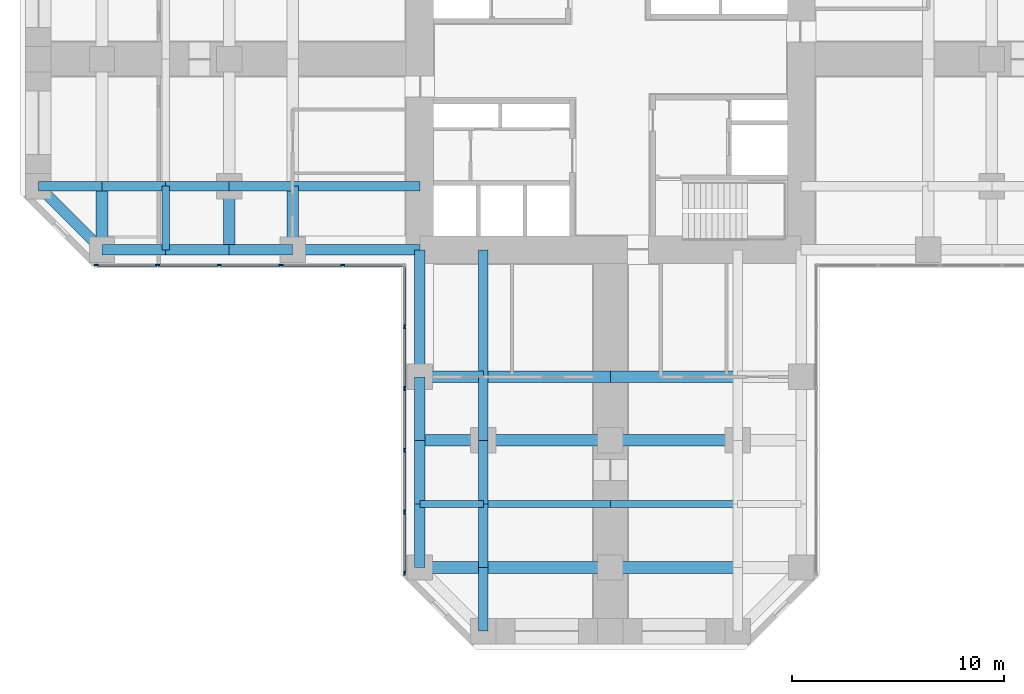
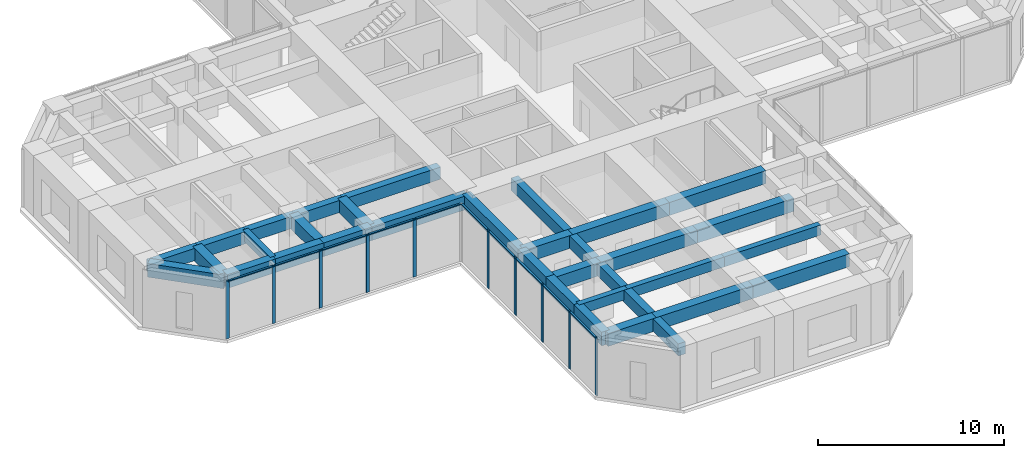
# One storey, part 2 of 12: 35 beams, 20 members, 2 elements without a shape of their own.
"""IFC4 building model written with IfcOpenShell, lengths in metres."""

from ifc_helpers import new_model, si_unit, direction, frame, origin, origin_2d, place, context, subcontext, project, spatial, rectangle, extrude, material, material_profile, profile_set, type_object, element, aggregate, save


model = new_model("IFC4")

# Units and contexts
model_context = context("Model", 3, precision=1e-05, world=origin(), true_north=direction((0.0, 1.0)))
body_context = subcontext(model_context, "Body", "Model", "MODEL_VIEW")
ifc_project = project(units=[si_unit("LENGTHUNIT", "METRE"), si_unit("AREAUNIT", "SQUARE_METRE"), si_unit("VOLUMEUNIT", "CUBIC_METRE"), si_unit("PLANEANGLEUNIT", "RADIAN"), si_unit("MASSUNIT", "GRAM", prefix="KILO")], contexts=[model_context])

# Site, building, storey
site_placement = place(None, origin())
site = spatial("IfcSite", under=ifc_project, at=site_placement, CompositionType="ELEMENT")
building_placement = place(site_placement, origin())
building = spatial("IfcBuilding", under=site, at=building_placement, Name="Torre Cruceta", CompositionType="ELEMENT")
storey_placement = place(building_placement, frame((0.0, 0.0, 39.5)))
storey = spatial("IfcBuildingStorey", under=building, at=storey_placement, Name="L09", CompositionType="ELEMENT", Elevation=39.5)

# Beams
ifc_material_1 = material(Name="Concrete G60 (fck 60 MPa)", Category="concrete")
ifc_material_profile_1 = material_profile(ifc_material_1, rectangle(XDim=0.449951171875, YDim=0.800048828125, at=origin_2d()), Name="RC 450X800")
ifc_profile_set_1 = profile_set([ifc_material_profile_1], Name="Concrete G60 (fck 60 MPa)")
beam_type_1 = type_object("IfcBeamType", Name="COLUMN LINE BEAM RC 450X800", PredefinedType="BEAM", material=ifc_profile_set_1)
beam_1_placement = place(storey_placement, frame((-6.0, -9.0, 3.39990234375), z_axis=(0.0, -1.0, 0.0), x_axis=(1.0, 0.0, 0.0)))
element("IfcBeam", 1, at=beam_1_placement, inside=storey, type_object=beam_type_1, Name="LB1 L09 S col- 1", PredefinedType="BEAM", context=body_context, shape_type="SweptSolid", body=[
    extrude(rectangle(XDim=0.449951171875, YDim=0.800048828125, at=origin_2d()), origin(), (0.0, 0.0, 1.0), 6.0),
])
for number, where, z_axis, x_axis, name in (
    (2, (-6.0, -15.0, 3.39990234375), (0.0, -1.0, 0.0), (1.0, 0.0, 0.0), "LB1 L09 S col- 2"),
    (3, (-6.0, -18.0, 3.39990234375), (0.0, -1.0, 0.0), (1.0, 0.0, 0.0), "LB1 L09 S col- 3"),
    (4, (-6.0, -21.0, 3.39990234375), (0.0, -1.0, 0.0), (1.0, 0.0, 0.0), "LB1 L09 S col- 4"),
    (5, (-6.0, -24.0, 3.39990234375), (0.0, -1.0, 0.0), (1.0, 0.0, 0.0), "LB1 L09 S col- 5"),
):
    element("IfcBeam", number, at=place(storey_placement, frame(where, z_axis=z_axis, x_axis=x_axis)), inside=storey, type_object=beam_type_1, Name=name, PredefinedType="BEAM", context=body_context, shape_type="SweptSolid", body=[
        extrude(rectangle(XDim=0.449951171875, YDim=0.800048828125, at=origin_2d()), origin(), (0.0, 0.0, 1.0), 3.0),
    ])
beam_2_placement = place(storey_placement, frame((-9.0, -6.0, 3.39990234375), z_axis=(-1.0, 0.0, 0.0), x_axis=(0.0, -1.0, 0.0)))
element("IfcBeam", 6, at=beam_2_placement, inside=storey, type_object=beam_type_1, Name="LB1 L09 W col+ 1", PredefinedType="BEAM", context=body_context, shape_type="SweptSolid", body=[
    extrude(rectangle(XDim=0.449951171875, YDim=0.800048828125, at=origin_2d()), origin(), (0.0, 0.0, 1.0), 6.0),
])
for number, where, z_axis, x_axis, name in (
    (7, (-15.0, -6.0, 3.39990234375), (-1.0, 0.0, 0.0), (0.0, -1.0, 0.0), "LB1 L09 W col+ 2"),
    (8, (-18.0, -6.0, 3.39990234375), (-1.0, 0.0, 0.0), (0.0, -1.0, 0.0), "LB1 L09 W col+ 3"),
    (9, (-21.0, -6.0, 3.39990234375), (-1.0, 0.0, 0.0), (0.0, -1.0, 0.0), "LB1 L09 W col+ 4"),
    (10, (-24.0, -6.0, 3.39990234375), (-1.0, 0.0, 0.0), (0.0, -1.0, 0.0), "LB1 L09 W col+ 5"),
):
    element("IfcBeam", number, at=place(storey_placement, frame(where, z_axis=z_axis, x_axis=x_axis)), inside=storey, type_object=beam_type_1, Name=name, PredefinedType="BEAM", context=body_context, shape_type="SweptSolid", body=[
        extrude(rectangle(XDim=0.449951171875, YDim=0.800048828125, at=origin_2d()), origin(), (0.0, 0.0, 1.0), 3.0),
    ])
ifc_material_2 = material(Name="Concrete G60 (fck 60 MPa)", Category="concrete")
ifc_material_profile_2 = material_profile(ifc_material_2, rectangle(XDim=0.550048828125, YDim=0.85009765625, at=origin_2d()), Name="RC 550X850")
ifc_profile_set_2 = profile_set([ifc_material_profile_2], Name="Concrete G60 (fck 60 MPa)")
beam_type_2 = type_object("IfcBeamType", Name="CROSS BEAM RC 550X850", PredefinedType="BEAM", material=ifc_profile_set_2)
beam_3_placement = place(storey_placement, frame((-9.0, -15.0, 3.375), z_axis=(1.0, 0.0, 0.0), x_axis=(0.0, 1.0, 0.0)))
element("IfcBeam", 11, at=beam_3_placement, inside=storey, type_object=beam_type_2, Name="GB4 L09 S cross15 1", PredefinedType="BEAM", context=body_context, shape_type="SweptSolid", body=[
    extrude(rectangle(XDim=0.550048828125, YDim=0.85009765625, at=origin_2d()), origin(), (0.0, 0.0, 1.0), 3.0),
])
for number, where, z_axis, x_axis, name in (
    (12, (-6.0, -15.0, 3.375), (1.0, 0.0, 0.0), (0.0, 1.0, 0.0), "GB4 L09 S cross15 2"),
    (13, (0.0, -15.0, 3.375), (1.0, 0.0, 0.0), (0.0, 1.0, 0.0), "GB4 L09 S cross15 3"),
):
    element("IfcBeam", number, at=place(storey_placement, frame(where, z_axis=z_axis, x_axis=x_axis)), inside=storey, type_object=beam_type_2, Name=name, PredefinedType="BEAM", context=body_context, shape_type="SweptSolid", body=[
        extrude(rectangle(XDim=0.550048828125, YDim=0.85009765625, at=origin_2d()), origin(), (0.0, 0.0, 1.0), 6.0),
    ])
beam_4_placement = place(storey_placement, frame((-9.0, -18.0, 3.375), z_axis=(1.0, 0.0, 0.0), x_axis=(0.0, 1.0, 0.0)))
element("IfcBeam", 14, at=beam_4_placement, inside=storey, type_object=beam_type_2, Name="GB4 L09 S cross18 1", PredefinedType="BEAM", context=body_context, shape_type="SweptSolid", body=[
    extrude(rectangle(XDim=0.550048828125, YDim=0.85009765625, at=origin_2d()), origin(), (0.0, 0.0, 1.0), 3.0),
])
for number, where, z_axis, x_axis, name in (
    (15, (-6.0, -18.0, 3.375), (1.0, 0.0, 0.0), (0.0, 1.0, 0.0), "GB4 L09 S cross18 2"),
    (16, (0.0, -18.0, 3.375), (1.0, 0.0, 0.0), (0.0, 1.0, 0.0), "GB4 L09 S cross18 3"),
):
    element("IfcBeam", number, at=place(storey_placement, frame(where, z_axis=z_axis, x_axis=x_axis)), inside=storey, type_object=beam_type_2, Name=name, PredefinedType="BEAM", context=body_context, shape_type="SweptSolid", body=[
        extrude(rectangle(XDim=0.550048828125, YDim=0.85009765625, at=origin_2d()), origin(), (0.0, 0.0, 1.0), 6.0),
    ])
beam_5_placement = place(storey_placement, frame((-9.0, -24.0, 3.375), z_axis=(1.0, 0.0, 0.0), x_axis=(0.0, 1.0, 0.0)))
element("IfcBeam", 17, at=beam_5_placement, inside=storey, type_object=beam_type_2, Name="GB4 L09 S cross24 1", PredefinedType="BEAM", context=body_context, shape_type="SweptSolid", body=[
    extrude(rectangle(XDim=0.550048828125, YDim=0.85009765625, at=origin_2d()), origin(), (0.0, 0.0, 1.0), 3.0),
])
for number, where, z_axis, x_axis, name in (
    (18, (-6.0, -24.0, 3.375), (1.0, 0.0, 0.0), (0.0, 1.0, 0.0), "GB4 L09 S cross24 2"),
    (19, (0.0, -24.0, 3.375), (1.0, 0.0, 0.0), (0.0, 1.0, 0.0), "GB4 L09 S cross24 3"),
):
    element("IfcBeam", number, at=place(storey_placement, frame(where, z_axis=z_axis, x_axis=x_axis)), inside=storey, type_object=beam_type_2, Name=name, PredefinedType="BEAM", context=body_context, shape_type="SweptSolid", body=[
        extrude(rectangle(XDim=0.550048828125, YDim=0.85009765625, at=origin_2d()), origin(), (0.0, 0.0, 1.0), 6.0),
    ])
for number, where, z_axis, x_axis, name in (
    (20, (-15.0, -6.0, 3.375), (0.0, -1.0, 0.0), (1.0, 0.0, 0.0), "GB4 L09 W cross15 4"),
    (21, (-18.0, -6.0, 3.375), (0.0, -1.0, 0.0), (1.0, 0.0, 0.0), "GB4 L09 W cross18 4"),
    (22, (-24.0, -6.0, 3.375), (0.0, -1.0, 0.0), (1.0, 0.0, 0.0), "GB4 L09 W cross24 4"),
):
    element("IfcBeam", number, at=place(storey_placement, frame(where, z_axis=z_axis, x_axis=x_axis)), inside=storey, type_object=beam_type_2, Name=name, PredefinedType="BEAM", context=body_context, shape_type="SweptSolid", body=[
        extrude(rectangle(XDim=0.550048828125, YDim=0.85009765625, at=origin_2d()), origin(), (0.0, 0.0, 1.0), 3.0),
    ])

# Curtain wall, members
ifc_material_3 = material(Name="Aluminium unitised curtain wall", Category="aluminium")
curtain_wall_type = type_object("IfcCurtainWallType", Name="CURTAIN WALL CW-A OFFICE LOW RISE", PredefinedType="USERDEFINED", material=ifc_material_3)
curtain_wall_1_placement = place(storey_placement, origin())
curtain_wall_1 = element("IfcCurtainWall", 23, at=curtain_wall_1_placement, inside=storey, type_object=curtain_wall_type, Name="CW-A L09 W side 14", ObjectType="UNITISED", PredefinedType="USERDEFINED")
ifc_material_4 = material(Name="Aluminium mullion", Category="aluminium")
ifc_material_profile_3 = material_profile(ifc_material_4, rectangle(XDim=0.06494140625, YDim=0.199951171875, at=origin_2d()), Name="AL 65X200")
ifc_profile_set_3 = profile_set([ifc_material_profile_3], Name="Aluminium mullion")
member_type_1 = type_object("IfcMemberType", Name="CW-A MULLION 65X200", PredefinedType="MULLION", material=ifc_profile_set_3)
member_1_placement = place(storey_placement, frame((-24.265625, -9.719970703125, 0.0), z_axis=(0.0, 0.0, 1.0), x_axis=(0.0, 1.0, 0.0)))
member_1 = element("IfcMember", 24, at=member_1_placement, type_object=member_type_1, Name="CW-A mullion 1", PredefinedType="MULLION", context=body_context, shape_type="SweptSolid", body=[
    extrude(rectangle(XDim=0.06494140625, YDim=0.199951171875, at=origin_2d()), origin(), (0.0, 0.0, 1.0), 3.800048828125),
])
member_2_placement = place(storey_placement, frame((-21.382568359375, -9.719970703125, 0.0), z_axis=(0.0, 0.0, 1.0), x_axis=(0.0, 1.0, 0.0)))
member_2 = element("IfcMember", 25, at=member_2_placement, type_object=member_type_1, Name="CW-A mullion 2", PredefinedType="MULLION", context=body_context, shape_type="SweptSolid", body=[
    extrude(rectangle(XDim=0.06494140625, YDim=0.199951171875, at=origin_2d()), origin(), (0.0, 0.0, 1.0), 3.800048828125),
])
member_3_placement = place(storey_placement, frame((-18.467041015625, -9.719970703125, 0.0), z_axis=(0.0, 0.0, 1.0), x_axis=(0.0, 1.0, 0.0)))
member_3 = element("IfcMember", 26, at=member_3_placement, type_object=member_type_1, Name="CW-A mullion 3", PredefinedType="MULLION", context=body_context, shape_type="SweptSolid", body=[
    extrude(rectangle(XDim=0.06494140625, YDim=0.199951171875, at=origin_2d()), origin(), (0.0, 0.0, 1.0), 3.800048828125),
])
member_4_placement = place(storey_placement, frame((-15.55126953125, -9.719970703125, 0.0), z_axis=(0.0, 0.0, 1.0), x_axis=(0.0, 1.0, 0.0)))
member_4 = element("IfcMember", 27, at=member_4_placement, type_object=member_type_1, Name="CW-A mullion 4", PredefinedType="MULLION", context=body_context, shape_type="SweptSolid", body=[
    extrude(rectangle(XDim=0.06494140625, YDim=0.199951171875, at=origin_2d()), origin(), (0.0, 0.0, 1.0), 3.800048828125),
])
member_5_placement = place(storey_placement, frame((-12.6357421875, -9.719970703125, 0.0), z_axis=(0.0, 0.0, 1.0), x_axis=(0.0, 1.0, 0.0)))
member_5 = element("IfcMember", 28, at=member_5_placement, type_object=member_type_1, Name="CW-A mullion 5", PredefinedType="MULLION", context=body_context, shape_type="SweptSolid", body=[
    extrude(rectangle(XDim=0.06494140625, YDim=0.199951171875, at=origin_2d()), origin(), (0.0, 0.0, 1.0), 3.800048828125),
])

curtain_wall_2_placement = place(storey_placement, origin())
curtain_wall_2 = element("IfcCurtainWall", 29, at=curtain_wall_2_placement, inside=storey, type_object=curtain_wall_type, Name="CW-A L09 S side 15", ObjectType="UNITISED", PredefinedType="USERDEFINED")
member_6_placement = place(storey_placement, frame((-9.719970703125, -12.6357421875, 0.0), z_axis=(0.0, 0.0, 1.0), x_axis=(1.0, 0.0, 0.0)))
member_6 = element("IfcMember", 30, at=member_6_placement, type_object=member_type_1, Name="CW-A mullion 2", PredefinedType="MULLION", context=body_context, shape_type="SweptSolid", body=[
    extrude(rectangle(XDim=0.06494140625, YDim=0.199951171875, at=origin_2d()), origin(), (0.0, 0.0, 1.0), 3.800048828125),
])
member_7_placement = place(storey_placement, frame((-9.719970703125, -15.55126953125, 0.0), z_axis=(0.0, 0.0, 1.0), x_axis=(1.0, 0.0, 0.0)))
member_7 = element("IfcMember", 31, at=member_7_placement, type_object=member_type_1, Name="CW-A mullion 3", PredefinedType="MULLION", context=body_context, shape_type="SweptSolid", body=[
    extrude(rectangle(XDim=0.06494140625, YDim=0.199951171875, at=origin_2d()), origin(), (0.0, 0.0, 1.0), 3.800048828125),
])
member_8_placement = place(storey_placement, frame((-9.719970703125, -18.467041015625, 0.0), z_axis=(0.0, 0.0, 1.0), x_axis=(1.0, 0.0, 0.0)))
member_8 = element("IfcMember", 32, at=member_8_placement, type_object=member_type_1, Name="CW-A mullion 4", PredefinedType="MULLION", context=body_context, shape_type="SweptSolid", body=[
    extrude(rectangle(XDim=0.06494140625, YDim=0.199951171875, at=origin_2d()), origin(), (0.0, 0.0, 1.0), 3.800048828125),
])
member_9_placement = place(storey_placement, frame((-9.719970703125, -21.382568359375, 0.0), z_axis=(0.0, 0.0, 1.0), x_axis=(1.0, 0.0, 0.0)))
member_9 = element("IfcMember", 33, at=member_9_placement, type_object=member_type_1, Name="CW-A mullion 5", PredefinedType="MULLION", context=body_context, shape_type="SweptSolid", body=[
    extrude(rectangle(XDim=0.06494140625, YDim=0.199951171875, at=origin_2d()), origin(), (0.0, 0.0, 1.0), 3.800048828125),
])
member_10_placement = place(storey_placement, frame((-9.719970703125, -24.265625, 0.0), z_axis=(0.0, 0.0, 1.0), x_axis=(1.0, 0.0, 0.0)))
member_10 = element("IfcMember", 34, at=member_10_placement, type_object=member_type_1, Name="CW-A mullion 6", PredefinedType="MULLION", context=body_context, shape_type="SweptSolid", body=[
    extrude(rectangle(XDim=0.06494140625, YDim=0.199951171875, at=origin_2d()), origin(), (0.0, 0.0, 1.0), 3.800048828125),
])

# Member
ifc_material_5 = material(Name="Aluminium transom", Category="aluminium")
ifc_material_profile_4 = material_profile(ifc_material_5, rectangle(XDim=0.1201171875, YDim=0.06494140625, at=origin_2d()), Name="AL 120X65")
ifc_profile_set_4 = profile_set([ifc_material_profile_4], Name="Aluminium transom")
member_type_2 = type_object("IfcMemberType", Name="CW-A TRANSOM 65X120", PredefinedType="USERDEFINED", material=ifc_profile_set_4)
member_11_placement = place(storey_placement, frame((-24.233154296875, -9.719970703125, 3.767578125), z_axis=(1.0, 0.0, 0.0), x_axis=(0.0, 1.0, 0.0)))
member_11 = element("IfcMember", 35, at=member_11_placement, type_object=member_type_2, Name="CW-A transom 1", ObjectType="TRANSOM", PredefinedType="USERDEFINED", context=body_context, shape_type="SweptSolid", body=[
    extrude(rectangle(XDim=0.1201171875, YDim=0.06494140625, at=origin_2d()), origin(), (0.0, 0.0, 1.0), 2.818115234375),
])

member_12_placement = place(storey_placement, frame((-21.35009765625, -9.719970703125, 3.767578125), z_axis=(1.0, 0.0, 0.0), x_axis=(0.0, 1.0, 0.0)))
member_12 = element("IfcMember", 36, at=member_12_placement, type_object=member_type_2, Name="CW-A transom 2", ObjectType="TRANSOM", PredefinedType="USERDEFINED", context=body_context, shape_type="SweptSolid", body=[
    extrude(rectangle(XDim=0.1201171875, YDim=0.06494140625, at=origin_2d()), origin(), (0.0, 0.0, 1.0), 2.8505859375),
])

member_13_placement = place(storey_placement, frame((-18.434326171875, -9.719970703125, 3.767578125), z_axis=(1.0, 0.0, 0.0), x_axis=(0.0, 1.0, 0.0)))
member_13 = element("IfcMember", 37, at=member_13_placement, type_object=member_type_2, Name="CW-A transom 3", ObjectType="TRANSOM", PredefinedType="USERDEFINED", context=body_context, shape_type="SweptSolid", body=[
    extrude(rectangle(XDim=0.1201171875, YDim=0.06494140625, at=origin_2d()), origin(), (0.0, 0.0, 1.0), 2.8505859375),
])

member_14_placement = place(storey_placement, frame((-15.518798828125, -9.719970703125, 3.767578125), z_axis=(1.0, 0.0, 0.0), x_axis=(0.0, 1.0, 0.0)))
member_14 = element("IfcMember", 38, at=member_14_placement, type_object=member_type_2, Name="CW-A transom 4", ObjectType="TRANSOM", PredefinedType="USERDEFINED", context=body_context, shape_type="SweptSolid", body=[
    extrude(rectangle(XDim=0.1201171875, YDim=0.06494140625, at=origin_2d()), origin(), (0.0, 0.0, 1.0), 2.8505859375),
])

member_15_placement = place(storey_placement, frame((-12.60302734375, -9.719970703125, 3.767578125), z_axis=(1.0, 0.0, 0.0), x_axis=(0.0, 1.0, 0.0)))
member_15 = element("IfcMember", 39, at=member_15_placement, type_object=member_type_2, Name="CW-A transom 5", ObjectType="TRANSOM", PredefinedType="USERDEFINED", context=body_context, shape_type="SweptSolid", body=[
    extrude(rectangle(XDim=0.1201171875, YDim=0.06494140625, at=origin_2d()), origin(), (0.0, 0.0, 1.0), 2.818115234375),
])

aggregate(curtain_wall_1, [member_1, member_2, member_3, member_4, member_5, member_11, member_12, member_13, member_14, member_15])

member_16_placement = place(storey_placement, frame((-9.719970703125, -9.784912109375, 3.767578125), z_axis=(0.0, -1.0, 0.0), x_axis=(1.0, 0.0, 0.0)))
member_16 = element("IfcMember", 40, at=member_16_placement, type_object=member_type_2, Name="CW-A transom 1", ObjectType="TRANSOM", PredefinedType="USERDEFINED", context=body_context, shape_type="SweptSolid", body=[
    extrude(rectangle(XDim=0.1201171875, YDim=0.06494140625, at=origin_2d()), origin(), (0.0, 0.0, 1.0), 2.818115234375),
])

member_17_placement = place(storey_placement, frame((-9.719970703125, -12.668212890625, 3.767578125), z_axis=(0.0, -1.0, 0.0), x_axis=(1.0, 0.0, 0.0)))
member_17 = element("IfcMember", 41, at=member_17_placement, type_object=member_type_2, Name="CW-A transom 2", ObjectType="TRANSOM", PredefinedType="USERDEFINED", context=body_context, shape_type="SweptSolid", body=[
    extrude(rectangle(XDim=0.1201171875, YDim=0.06494140625, at=origin_2d()), origin(), (0.0, 0.0, 1.0), 2.8505859375),
])

member_18_placement = place(storey_placement, frame((-9.719970703125, -15.583740234375, 3.767578125), z_axis=(0.0, -1.0, 0.0), x_axis=(1.0, 0.0, 0.0)))
member_18 = element("IfcMember", 42, at=member_18_placement, type_object=member_type_2, Name="CW-A transom 3", ObjectType="TRANSOM", PredefinedType="USERDEFINED", context=body_context, shape_type="SweptSolid", body=[
    extrude(rectangle(XDim=0.1201171875, YDim=0.06494140625, at=origin_2d()), origin(), (0.0, 0.0, 1.0), 2.8505859375),
])

member_19_placement = place(storey_placement, frame((-9.719970703125, -18.49951171875, 3.767578125), z_axis=(0.0, -1.0, 0.0), x_axis=(1.0, 0.0, 0.0)))
member_19 = element("IfcMember", 43, at=member_19_placement, type_object=member_type_2, Name="CW-A transom 4", ObjectType="TRANSOM", PredefinedType="USERDEFINED", context=body_context, shape_type="SweptSolid", body=[
    extrude(rectangle(XDim=0.1201171875, YDim=0.06494140625, at=origin_2d()), origin(), (0.0, 0.0, 1.0), 2.8505859375),
])

member_20_placement = place(storey_placement, frame((-9.719970703125, -21.4150390625, 3.767578125), z_axis=(0.0, -1.0, 0.0), x_axis=(1.0, 0.0, 0.0)))
member_20 = element("IfcMember", 44, at=member_20_placement, type_object=member_type_2, Name="CW-A transom 5", ObjectType="TRANSOM", PredefinedType="USERDEFINED", context=body_context, shape_type="SweptSolid", body=[
    extrude(rectangle(XDim=0.1201171875, YDim=0.06494140625, at=origin_2d()), origin(), (0.0, 0.0, 1.0), 2.818115234375),
])

aggregate(curtain_wall_2, [member_6, member_7, member_8, member_9, member_10, member_16, member_17, member_18, member_19, member_20])

# Beams
ifc_material_6 = material(Name="Concrete G60 (fck 60 MPa)", Category="concrete")
ifc_material_profile_5 = material_profile(ifc_material_6, rectangle(XDim=0.35009765625, YDim=0.64990234375, at=origin_2d()), Name="RC 350X650")
ifc_profile_set_5 = profile_set([ifc_material_profile_5], Name="Concrete G60 (fck 60 MPa)")
beam_type_3 = type_object("IfcBeamType", Name="SECONDARY BEAM RC 350X650", PredefinedType="JOIST", material=ifc_profile_set_5)
beam_6_placement = place(storey_placement, frame((-9.0, -21.0, 3.47509765625), z_axis=(1.0, 0.0, 0.0), x_axis=(0.0, 1.0, 0.0)))
element("IfcBeam", 45, at=beam_6_placement, inside=storey, type_object=beam_type_3, Name="JB3 L09 S sec21 1", PredefinedType="JOIST", context=body_context, shape_type="SweptSolid", body=[
    extrude(rectangle(XDim=0.35009765625, YDim=0.64990234375, at=origin_2d()), origin(), (0.0, 0.0, 1.0), 3.0),
])
for number, where, z_axis, x_axis, name in (
    (46, (-6.0, -21.0, 3.47509765625), (1.0, 0.0, 0.0), (0.0, 1.0, 0.0), "JB3 L09 S sec21 2"),
    (47, (0.0, -21.0, 3.47509765625), (1.0, 0.0, 0.0), (0.0, 1.0, 0.0), "JB3 L09 S sec21 3"),
):
    element("IfcBeam", number, at=place(storey_placement, frame(where, z_axis=z_axis, x_axis=x_axis)), inside=storey, type_object=beam_type_3, Name=name, PredefinedType="JOIST", context=body_context, shape_type="SweptSolid", body=[
        extrude(rectangle(XDim=0.35009765625, YDim=0.64990234375, at=origin_2d()), origin(), (0.0, 0.0, 1.0), 6.0),
    ])
beam_7_placement = place(storey_placement, frame((-21.0, -6.0, 3.47509765625), z_axis=(0.0, -1.0, 0.0), x_axis=(1.0, 0.0, 0.0)))
element("IfcBeam", 48, at=beam_7_placement, inside=storey, type_object=beam_type_3, Name="JB3 L09 W sec21 4", PredefinedType="JOIST", context=body_context, shape_type="SweptSolid", body=[
    extrude(rectangle(XDim=0.35009765625, YDim=0.64990234375, at=origin_2d()), origin(), (0.0, 0.0, 1.0), 3.0),
])
ifc_material_7 = material(Name="Concrete G60 (fck 60 MPa)", Category="concrete")
ifc_material_profile_6 = material_profile(ifc_material_7, rectangle(XDim=0.5, YDim=0.89990234375, at=origin_2d()), Name="RC 500X900")
ifc_profile_set_6 = profile_set([ifc_material_profile_6], Name="Concrete G60 (fck 60 MPa)")
beam_type_4 = type_object("IfcBeamType", Name="SPANDREL BEAM RC 500X900", PredefinedType="SPANDREL", material=ifc_profile_set_6)
beam_8_placement = place(storey_placement, frame((-9.0, -9.0, 3.35009765625), z_axis=(0.0, -1.0, 0.0), x_axis=(1.0, 0.0, 0.0)))
element("IfcBeam", 49, at=beam_8_placement, inside=storey, type_object=beam_type_4, Name="SB4 L09 S side- 1", PredefinedType="SPANDREL", context=body_context, shape_type="SweptSolid", body=[
    extrude(rectangle(XDim=0.5, YDim=0.89990234375, at=origin_2d()), origin(), (0.0, 0.0, 1.0), 6.0),
])
for number, where, z_axis, x_axis, name in (
    (50, (-9.0, -15.0, 3.35009765625), (0.0, -1.0, 0.0), (1.0, 0.0, 0.0), "SB4 L09 S side- 2"),
    (51, (-9.0, -18.0, 3.35009765625), (0.0, -1.0, 0.0), (1.0, 0.0, 0.0), "SB4 L09 S side- 3"),
    (52, (-9.0, -21.0, 3.35009765625), (0.0, -1.0, 0.0), (1.0, 0.0, 0.0), "SB4 L09 S side- 4"),
):
    element("IfcBeam", number, at=place(storey_placement, frame(where, z_axis=z_axis, x_axis=x_axis)), inside=storey, type_object=beam_type_4, Name=name, PredefinedType="SPANDREL", context=body_context, shape_type="SweptSolid", body=[
        extrude(rectangle(XDim=0.5, YDim=0.89990234375, at=origin_2d()), origin(), (0.0, 0.0, 1.0), 3.0),
    ])
beam_9_placement = place(storey_placement, frame((-9.0, -9.0, 3.35009765625), z_axis=(-1.0, 0.0, 0.0), x_axis=(0.0, -1.0, 0.0)))
element("IfcBeam", 53, at=beam_9_placement, inside=storey, type_object=beam_type_4, Name="SB4 L09 W side+ 1", PredefinedType="SPANDREL", context=body_context, shape_type="SweptSolid", body=[
    extrude(rectangle(XDim=0.5, YDim=0.89990234375, at=origin_2d()), origin(), (0.0, 0.0, 1.0), 6.0),
])
for number, where, z_axis, x_axis, name in (
    (54, (-15.0, -9.0, 3.35009765625), (-1.0, 0.0, 0.0), (0.0, -1.0, 0.0), "SB4 L09 W side+ 2"),
    (55, (-18.0, -9.0, 3.35009765625), (-1.0, 0.0, 0.0), (0.0, -1.0, 0.0), "SB4 L09 W side+ 3"),
    (56, (-21.0, -9.0, 3.35009765625), (-1.0, 0.0, 0.0), (0.0, -1.0, 0.0), "SB4 L09 W side+ 4"),
):
    element("IfcBeam", number, at=place(storey_placement, frame(where, z_axis=z_axis, x_axis=x_axis)), inside=storey, type_object=beam_type_4, Name=name, PredefinedType="SPANDREL", context=body_context, shape_type="SweptSolid", body=[
        extrude(rectangle(XDim=0.5, YDim=0.89990234375, at=origin_2d()), origin(), (0.0, 0.0, 1.0), 3.0),
    ])
beam_10_placement = place(storey_placement, frame((-24.0, -9.0, 3.35009765625), z_axis=(-0.707106781187, 0.707106781187, 0.0), x_axis=(-0.707106781187, -0.707106781187, 0.0)))
element("IfcBeam", 57, at=beam_10_placement, inside=storey, type_object=beam_type_4, Name="SB4 L09 W side+ 5", PredefinedType="SPANDREL", context=body_context, shape_type="SweptSolid", body=[
    extrude(rectangle(XDim=0.5, YDim=0.89990234375, at=origin_2d()), origin(), (0.0, 0.0, 1.0), 4.24267578125),
])

save(model, "model.ifc")
